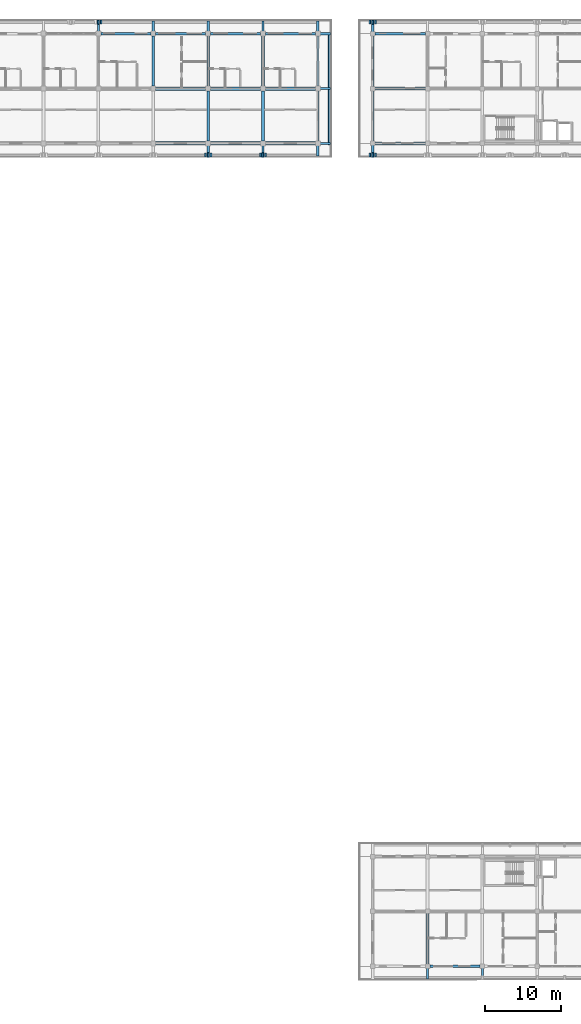
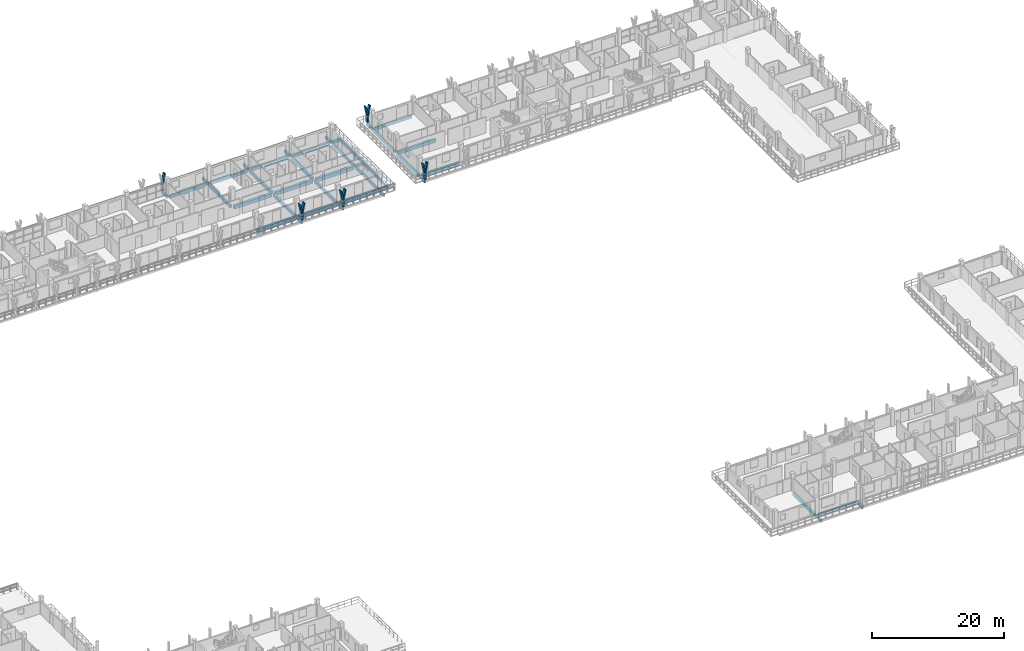
# One storey, part 23 of 78: 40 beams, 14 members.
"""IFC4 building model written with IfcOpenShell, lengths in metres."""

from ifc_helpers import new_model, si_unit, direction, frame, origin, origin_2d, place, context, subcontext, project, spatial, rectangle, extrude, material, material_profile, profile_set, type_object, element, save


model = new_model("IFC4")

# Units and contexts
model_context = context("Model", 3, precision=1e-05, world=origin(), true_north=direction((0.0, 1.0)))
body_context = subcontext(model_context, "Body", "Model", "MODEL_VIEW")
ifc_project = project(units=[si_unit("LENGTHUNIT", "METRE"), si_unit("AREAUNIT", "SQUARE_METRE"), si_unit("VOLUMEUNIT", "CUBIC_METRE"), si_unit("PLANEANGLEUNIT", "RADIAN"), si_unit("MASSUNIT", "GRAM", prefix="KILO")], contexts=[model_context])

# Site, building, storey
site_placement = place(None, origin())
site = spatial("IfcSite", under=ifc_project, at=site_placement, CompositionType="ELEMENT")
building_placement = place(site_placement, origin())
building = spatial("IfcBuilding", under=site, at=building_placement, Name="Suanplinth Sawtooth Commons", CompositionType="ELEMENT")
storey_placement = place(building_placement, frame((0.0, 0.0, 15.39990234375)))
storey = spatial("IfcBuildingStorey", under=building, at=storey_placement, Name="L04", CompositionType="ELEMENT", Elevation=15.39990234375)

# Beams
ifc_material_1 = material(Name="Precast concrete C40/50", Category="concrete")
ifc_material_profile_1 = material_profile(ifc_material_1, rectangle(XDim=0.449951171875, YDim=0.64990234375, at=origin_2d()), Name="PC-GDR 450x650")
ifc_profile_set_1 = profile_set([ifc_material_profile_1], Name="Precast concrete C40/50")
beam_type_1 = type_object("IfcBeamType", Name="B-04", PredefinedType="USERDEFINED", material=ifc_profile_set_1)
for number, where, z_axis, x_axis, name in (
    (1, (93.925048828125, 108.0, -0.544921875), (1.0, 0.0, 0.0), (0.0, 1.0, 0.0), "BMX-L04-A-13-15"),
    (2, (93.925048828125, 115.199951171875, -0.544921875), (1.0, 0.0, 0.0), (0.0, 1.0, 0.0), "BMX-L04-A-13-16"),
    (3, (101.125, 108.0, -0.544921875), (1.0, 0.0, 0.0), (0.0, 1.0, 0.0), "BMX-L04-A-14-15"),
    (4, (101.125, 115.199951171875, -0.544921875), (1.0, 0.0, 0.0), (0.0, 1.0, 0.0), "BMX-L04-A-14-16"),
    (5, (108.324951171875, 108.0, -0.544921875), (1.0, 0.0, 0.0), (0.0, 1.0, 0.0), "BMX-L04-A-15-15"),
    (6, (108.324951171875, 115.199951171875, -0.544921875), (1.0, 0.0, 0.0), (0.0, 1.0, 0.0), "BMX-L04-A-15-16"),
):
    element("IfcBeam", number, at=place(storey_placement, frame(where, z_axis=z_axis, x_axis=x_axis)), inside=storey, type_object=beam_type_1, Name=name, ObjectType="GIRDER", PredefinedType="USERDEFINED", context=body_context, shape_type="SweptSolid", body=[
        extrude(rectangle(XDim=0.449951171875, YDim=0.64990234375, at=origin_2d()), origin(), (0.0, 0.0, 1.0), 6.550048828125),
    ])
ifc_material_profile_2 = material_profile(ifc_material_1, rectangle(XDim=0.39990234375, YDim=0.60009765625, at=origin_2d()), Name="PC-GDR 400x600")
ifc_profile_set_2 = profile_set([ifc_material_profile_2], Name="Precast concrete C40/50")
beam_type_2 = type_object("IfcBeamType", Name="B-05", PredefinedType="USERDEFINED", material=ifc_profile_set_2)
for number, where, z_axis, x_axis, name in (
    (7, (122.699951171875, 108.0, -0.52001953125), (1.0, 0.0, 0.0), (0.0, 1.0, 0.0), "BMX-L04-B-17-15"),
    (8, (122.699951171875, 115.199951171875, -0.52001953125), (1.0, 0.0, 0.0), (0.0, 1.0, 0.0), "BMX-L04-B-17-16"),
):
    element("IfcBeam", number, at=place(storey_placement, frame(where, z_axis=z_axis, x_axis=x_axis)), inside=storey, type_object=beam_type_2, Name=name, ObjectType="GIRDER", PredefinedType="USERDEFINED", context=body_context, shape_type="SweptSolid", body=[
        extrude(rectangle(XDim=0.39990234375, YDim=0.60009765625, at=origin_2d()), origin(), (0.0, 0.0, 1.0), 6.60009765625),
    ])
ifc_material_profile_3 = material_profile(ifc_material_1, rectangle(XDim=0.35009765625, YDim=0.550048828125, at=origin_2d()), Name="PC-BM 350x550")
ifc_profile_set_3 = profile_set([ifc_material_profile_3], Name="Precast concrete C40/50")
beam_type_3 = type_object("IfcBeamType", Name="B-06", PredefinedType="BEAM", material=ifc_profile_set_3)
for number, where, z_axis, x_axis, name in (
    (9, (93.60009765625, 115.52490234375, -0.494873046875), (0.0, 1.0, 0.0), (-1.0, 0.0, 0.0), "BMY-L04-A-13-16"),
    (10, (100.800048828125, 108.324951171875, -0.494873046875), (0.0, 1.0, 0.0), (-1.0, 0.0, 0.0), "BMY-L04-A-14-15"),
    (11, (100.800048828125, 115.52490234375, -0.494873046875), (0.0, 1.0, 0.0), (-1.0, 0.0, 0.0), "BMY-L04-A-14-16"),
    (12, (108.0, 108.324951171875, -0.494873046875), (0.0, 1.0, 0.0), (-1.0, 0.0, 0.0), "BMY-L04-A-15-15"),
    (13, (108.0, 115.52490234375, -0.494873046875), (0.0, 1.0, 0.0), (-1.0, 0.0, 0.0), "BMY-L04-A-15-16"),
):
    element("IfcBeam", number, at=place(storey_placement, frame(where, z_axis=z_axis, x_axis=x_axis)), inside=storey, type_object=beam_type_3, Name=name, PredefinedType="BEAM", context=body_context, shape_type="SweptSolid", body=[
        extrude(rectangle(XDim=0.35009765625, YDim=0.550048828125, at=origin_2d()), origin(), (0.0, 0.0, 1.0), 6.550048828125),
    ])
beam_1_placement = place(storey_placement, frame((122.39990234375, 108.300048828125, -0.494873046875), z_axis=(0.0, 1.0, 0.0), x_axis=(-1.0, 0.0, 0.0)))
element("IfcBeam", 14, at=beam_1_placement, inside=storey, type_object=beam_type_3, Name="BMY-L04-B-17-15", PredefinedType="BEAM", context=body_context, shape_type="SweptSolid", body=[
    extrude(rectangle(XDim=0.35009765625, YDim=0.550048828125, at=origin_2d()), origin(), (0.0, 0.0, 1.0), 6.599853515625),
])
beam_2_placement = place(storey_placement, frame((122.39990234375, 115.5, -0.494873046875), z_axis=(0.0, 1.0, 0.0), x_axis=(-1.0, 0.0, 0.0)))
element("IfcBeam", 15, at=beam_2_placement, inside=storey, type_object=beam_type_3, Name="BMY-L04-B-17-16", PredefinedType="BEAM", context=body_context, shape_type="SweptSolid", body=[
    extrude(rectangle(XDim=0.35009765625, YDim=0.550048828125, at=origin_2d()), origin(), (0.0, 0.0, 1.0), 6.60009765625),
])
beam_3_placement = place(storey_placement, frame((129.60009765625, 0.300048828125, -0.494873046875), z_axis=(0.0, 1.0, 0.0), x_axis=(-1.0, 0.0, 0.0)))
element("IfcBeam", 16, at=beam_3_placement, inside=storey, type_object=beam_type_3, Name="BMY-L04-C-18-0", PredefinedType="BEAM", context=body_context, shape_type="SweptSolid", body=[
    extrude(rectangle(XDim=0.35009765625, YDim=0.550048828125, at=origin_2d()), origin(), (0.0, 0.0, 1.0), 6.599853515625),
])
ifc_material_profile_4 = material_profile(ifc_material_1, rectangle(XDim=0.300048828125, YDim=0.5, at=origin_2d()), Name="PC-BM 300x500")
ifc_profile_set_4 = profile_set([ifc_material_profile_4], Name="Precast concrete C40/50")
beam_type_4 = type_object("IfcBeamType", Name="B-07", PredefinedType="BEAM", material=ifc_profile_set_4)
for number, where, z_axis, x_axis, name in (
    (17, (86.39990234375, 122.39990234375, -0.429931640625), (0.0, 1.0, 0.0), (-1.0, 0.0, 0.0), "Balcony Outrigger L04-A-N-12"),
    (18, (93.60009765625, 122.39990234375, -0.429931640625), (0.0, 1.0, 0.0), (-1.0, 0.0, 0.0), "Balcony Outrigger L04-A-N-13"),
    (19, (100.800048828125, 122.39990234375, -0.429931640625), (0.0, 1.0, 0.0), (-1.0, 0.0, 0.0), "Balcony Outrigger L04-A-N-14"),
    (20, (108.0, 122.39990234375, -0.429931640625), (0.0, 1.0, 0.0), (-1.0, 0.0, 0.0), "Balcony Outrigger L04-A-N-15"),
    (21, (115.199951171875, 122.39990234375, -0.429931640625), (0.0, 1.0, 0.0), (-1.0, 0.0, 0.0), "Balcony Outrigger L04-A-N-16"),
):
    element("IfcBeam", number, at=place(storey_placement, frame(where, z_axis=z_axis, x_axis=x_axis)), inside=storey, type_object=beam_type_4, Name=name, PredefinedType="BEAM", context=body_context, shape_type="SweptSolid", body=[
        extrude(rectangle(XDim=0.300048828125, YDim=0.5, at=origin_2d()), origin(), (0.0, 0.0, 1.0), 1.64013671875),
    ])
for number, where, z_axis, x_axis, name in (
    (22, (100.800048828125, 108.0, -0.429931640625), (0.0, -1.0, 0.0), (1.0, 0.0, 0.0), "Balcony Outrigger L04-A-S-14"),
    (23, (108.0, 108.0, -0.429931640625), (0.0, -1.0, 0.0), (1.0, 0.0, 0.0), "Balcony Outrigger L04-A-S-15"),
    (24, (115.199951171875, 108.0, -0.429931640625), (0.0, -1.0, 0.0), (1.0, 0.0, 0.0), "Balcony Outrigger L04-A-S-16"),
):
    element("IfcBeam", number, at=place(storey_placement, frame(where, z_axis=z_axis, x_axis=x_axis)), inside=storey, type_object=beam_type_4, Name=name, PredefinedType="BEAM", context=body_context, shape_type="SweptSolid", body=[
        extrude(rectangle(XDim=0.300048828125, YDim=0.5, at=origin_2d()), origin(), (0.0, 0.0, 1.0), 1.639892578125),
    ])
for number, where, z_axis, x_axis, name in (
    (25, (115.199951171875, 108.0, -0.429931640625), (1.0, 0.0, 0.0), (0.0, 1.0, 0.0), "Balcony Outrigger L04-A-E-15"),
    (26, (115.199951171875, 115.199951171875, -0.429931640625), (1.0, 0.0, 0.0), (0.0, 1.0, 0.0), "Balcony Outrigger L04-A-E-16"),
    (27, (115.199951171875, 122.39990234375, -0.429931640625), (1.0, 0.0, 0.0), (0.0, 1.0, 0.0), "Balcony Outrigger L04-A-E-17"),
    (28, (122.39990234375, 122.39990234375, -0.429931640625), (0.0, 1.0, 0.0), (-1.0, 0.0, 0.0), "Balcony Outrigger L04-B-N-17"),
):
    element("IfcBeam", number, at=place(storey_placement, frame(where, z_axis=z_axis, x_axis=x_axis)), inside=storey, type_object=beam_type_4, Name=name, PredefinedType="BEAM", context=body_context, shape_type="SweptSolid", body=[
        extrude(rectangle(XDim=0.300048828125, YDim=0.5, at=origin_2d()), origin(), (0.0, 0.0, 1.0), 1.64013671875),
    ])
for number, where, z_axis, x_axis, name in (
    (29, (122.39990234375, 108.0, -0.4248046875), (0.0, -1.0, 0.0), (1.0, 0.0, 0.0), "Balcony Outrigger L04-B-SC-17"),
    (30, (129.60009765625, 0.0, -0.429931640625), (0.0, -1.0, 0.0), (1.0, 0.0, 0.0), "Balcony Outrigger L04-C-S-18"),
    (31, (136.800048828125, 0.0, -0.429931640625), (0.0, -1.0, 0.0), (1.0, 0.0, 0.0), "Balcony Outrigger L04-C-S-19"),
):
    element("IfcBeam", number, at=place(storey_placement, frame(where, z_axis=z_axis, x_axis=x_axis)), inside=storey, type_object=beam_type_4, Name=name, PredefinedType="BEAM", context=body_context, shape_type="SweptSolid", body=[
        extrude(rectangle(XDim=0.300048828125, YDim=0.5, at=origin_2d()), origin(), (0.0, 0.0, 1.0), 1.639892578125),
    ])
ifc_material_profile_5 = material_profile(ifc_material_1, rectangle(XDim=0.280029296875, YDim=0.52001953125, at=origin_2d()), Name="PC-SP 280x520")
ifc_profile_set_5 = profile_set([ifc_material_profile_5], Name="Precast concrete C40/50")
beam_type_5 = type_object("IfcBeamType", Name="B-08", PredefinedType="SPANDREL", material=ifc_profile_set_5)
beam_4_placement = place(storey_placement, frame((86.72509765625, 122.39990234375, -0.47998046875), z_axis=(1.0, 0.0, 0.0), x_axis=(0.0, 1.0, 0.0)))
element("IfcBeam", 32, at=beam_4_placement, inside=storey, type_object=beam_type_5, Name="BMX-L04-A-12-17", PredefinedType="SPANDREL", context=body_context, shape_type="SweptSolid", body=[
    extrude(rectangle(XDim=0.280029296875, YDim=0.52001953125, at=origin_2d()), origin(), (0.0, 0.0, 1.0), 6.5498046875),
])
for number, where, z_axis, x_axis, name in (
    (33, (93.925048828125, 122.39990234375, -0.47998046875), (1.0, 0.0, 0.0), (0.0, 1.0, 0.0), "BMX-L04-A-13-17"),
    (34, (101.125, 122.39990234375, -0.47998046875), (1.0, 0.0, 0.0), (0.0, 1.0, 0.0), "BMX-L04-A-14-17"),
    (35, (108.324951171875, 122.39990234375, -0.47998046875), (1.0, 0.0, 0.0), (0.0, 1.0, 0.0), "BMX-L04-A-15-17"),
    (36, (115.199951171875, 108.324951171875, -0.47998046875), (0.0, 1.0, 0.0), (-1.0, 0.0, 0.0), "BMY-L04-A-16-15"),
    (37, (115.199951171875, 115.52490234375, -0.47998046875), (0.0, 1.0, 0.0), (-1.0, 0.0, 0.0), "BMY-L04-A-16-16"),
):
    element("IfcBeam", number, at=place(storey_placement, frame(where, z_axis=z_axis, x_axis=x_axis)), inside=storey, type_object=beam_type_5, Name=name, PredefinedType="SPANDREL", context=body_context, shape_type="SweptSolid", body=[
        extrude(rectangle(XDim=0.280029296875, YDim=0.52001953125, at=origin_2d()), origin(), (0.0, 0.0, 1.0), 6.550048828125),
    ])
for number, where, z_axis, x_axis, name in (
    (38, (122.699951171875, 122.39990234375, -0.47998046875), (1.0, 0.0, 0.0), (0.0, 1.0, 0.0), "BMX-L04-B-17-17"),
    (39, (129.89990234375, 0.0, -0.47998046875), (1.0, 0.0, 0.0), (0.0, 1.0, 0.0), "BMX-L04-C-18-0"),
):
    element("IfcBeam", number, at=place(storey_placement, frame(where, z_axis=z_axis, x_axis=x_axis)), inside=storey, type_object=beam_type_5, Name=name, PredefinedType="SPANDREL", context=body_context, shape_type="SweptSolid", body=[
        extrude(rectangle(XDim=0.280029296875, YDim=0.52001953125, at=origin_2d()), origin(), (0.0, 0.0, 1.0), 6.60009765625),
    ])
ifc_material_profile_6 = material_profile(ifc_material_1, rectangle(XDim=0.25, YDim=0.449951171875, at=origin_2d()), Name="PC-SP 250x450")
ifc_profile_set_6 = profile_set([ifc_material_profile_6], Name="Precast concrete C40/50")
beam_type_6 = type_object("IfcBeamType", Name="B-09", PredefinedType="SPANDREL", material=ifc_profile_set_6)
beam_5_placement = place(storey_placement, frame((116.719970703125, 107.85009765625, -0.40478515625), z_axis=(0.0, 1.0, 0.0), x_axis=(-1.0, 0.0, 0.0)))
element("IfcBeam", 40, at=beam_5_placement, inside=storey, type_object=beam_type_6, Name="Balcony Edge Fascia L04-A-E", PredefinedType="SPANDREL", context=body_context, shape_type="SweptSolid", body=[
    extrude(rectangle(XDim=0.25, YDim=0.449951171875, at=origin_2d()), origin(), (0.0, 0.0, 1.0), 14.699951171875),
])

# Members
ifc_material_2 = material(Name="Pigmented precast concrete C40/50", Category="concrete")
ifc_material_profile_7 = material_profile(ifc_material_2, rectangle(XDim=0.260009765625, YDim=0.550048828125, at=origin_2d()), Name="PC-FIN 260x550")
ifc_profile_set_7 = profile_set([ifc_material_profile_7], Name="Pigmented precast concrete C40/50")
member_type_1 = type_object("IfcMemberType", Name="M-09", PredefinedType="USERDEFINED", material=ifc_profile_set_7)
for number, where, z_axis, x_axis, name in (
    (41, (86.39990234375, 123.919921875, 0.0), (0.0, 0.0, 1.0), (1.0, 0.0, 0.0), "Y-Blade Stem L04-A-N-08"),
    (42, (100.800048828125, 106.47998046875, 0.0), (0.0, 0.0, 1.0), (1.0, 0.0, 0.0), "Y-Blade Stem L04-A-S-26"),
    (43, (108.0, 106.47998046875, 0.0), (0.0, 0.0, 1.0), (1.0, 0.0, 0.0), "Y-Blade Stem L04-A-S-27"),
    (44, (122.39990234375, 123.919921875, 0.0), (0.0, 0.0, 1.0), (1.0, 0.0, 0.0), "Y-Blade Stem L04-B-N-01"),
    (45, (122.39990234375, 106.47998046875, 0.0), (0.0, 0.0, 1.0), (1.0, 0.0, 0.0), "Y-Blade Stem L04-B-SC-16"),
):
    element("IfcMember", number, at=place(storey_placement, frame(where, z_axis=z_axis, x_axis=x_axis)), inside=storey, type_object=member_type_1, Name=name, ObjectType="SHADING FIN", PredefinedType="USERDEFINED", context=body_context, shape_type="SweptSolid", body=[
        extrude(rectangle(XDim=0.260009765625, YDim=0.550048828125, at=origin_2d()), origin(), (0.0, 0.0, 1.0), 1.170166015625),
    ])
ifc_material_profile_8 = material_profile(ifc_material_2, rectangle(XDim=0.219970703125, YDim=0.550048828125, at=origin_2d()), Name="PC-FIN 220x550")
ifc_profile_set_8 = profile_set([ifc_material_profile_8], Name="Pigmented precast concrete C40/50")
member_type_2 = type_object("IfcMemberType", Name="M-10", PredefinedType="USERDEFINED", material=ifc_profile_set_8)
for number, where, z_axis, x_axis, name in (
    (46, (86.39990234375, 123.919921875, 1.130126953125), (0.196431120402, 0.0, 0.980517626021), (-0.980517626021, 0.0, 0.196431120402), "Y-Blade Arm R L04-A-N-08"),
    (47, (100.800048828125, 106.47998046875, 1.130126953125), (-0.196431120402, 0.0, 0.980517626021), (0.980517626021, 0.0, 0.196431120402), "Y-Blade Arm L L04-A-S-26"),
):
    element("IfcMember", number, at=place(storey_placement, frame(where, z_axis=z_axis, x_axis=x_axis)), inside=storey, type_object=member_type_2, Name=name, ObjectType="SHADING FIN", PredefinedType="USERDEFINED", context=body_context, shape_type="SweptSolid", body=[
        extrude(rectangle(XDim=0.219970703125, YDim=0.550048828125, at=origin_2d()), origin(), (0.0, 0.0, 1.0), 1.937744140625),
    ])
member_1_placement = place(storey_placement, frame((100.800048828125, 106.47998046875, 1.130126953125), z_axis=(0.196309979414, 0.0, 0.980541886909), x_axis=(-0.980541886909, 0.0, 0.196309979414)))
element("IfcMember", 48, at=member_1_placement, inside=storey, type_object=member_type_2, Name="Y-Blade Arm R L04-A-S-26", ObjectType="SHADING FIN", PredefinedType="USERDEFINED", context=body_context, shape_type="SweptSolid", body=[
    extrude(rectangle(XDim=0.219970703125, YDim=0.550048828125, at=origin_2d()), origin(), (0.0, 0.0, 1.0), 1.9375),
])
for number, where, z_axis, x_axis, name in (
    (49, (108.0, 106.47998046875, 1.130126953125), (-0.196431120402, 0.0, 0.980517626021), (0.980517626021, 0.0, 0.196431120402), "Y-Blade Arm L L04-A-S-27"),
    (50, (108.0, 106.47998046875, 1.130126953125), (0.196431120402, 0.0, 0.980517626021), (-0.980517626021, 0.0, 0.196431120402), "Y-Blade Arm R L04-A-S-27"),
):
    element("IfcMember", number, at=place(storey_placement, frame(where, z_axis=z_axis, x_axis=x_axis)), inside=storey, type_object=member_type_2, Name=name, ObjectType="SHADING FIN", PredefinedType="USERDEFINED", context=body_context, shape_type="SweptSolid", body=[
        extrude(rectangle(XDim=0.219970703125, YDim=0.550048828125, at=origin_2d()), origin(), (0.0, 0.0, 1.0), 1.937744140625),
    ])
member_2_placement = place(storey_placement, frame((122.39990234375, 123.919921875, 1.130126953125), z_axis=(-0.196309979414, 0.0, 0.980541886909), x_axis=(0.980541886909, 0.0, 0.196309979414)))
element("IfcMember", 51, at=member_2_placement, inside=storey, type_object=member_type_2, Name="Y-Blade Arm L L04-B-N-01", ObjectType="SHADING FIN", PredefinedType="USERDEFINED", context=body_context, shape_type="SweptSolid", body=[
    extrude(rectangle(XDim=0.219970703125, YDim=0.550048828125, at=origin_2d()), origin(), (0.0, 0.0, 1.0), 1.9375),
])
member_3_placement = place(storey_placement, frame((122.39990234375, 123.919921875, 1.130126953125), z_axis=(0.196431120402, 0.0, 0.980517626021), x_axis=(-0.980517626021, 0.0, 0.196431120402)))
element("IfcMember", 52, at=member_3_placement, inside=storey, type_object=member_type_2, Name="Y-Blade Arm R L04-B-N-01", ObjectType="SHADING FIN", PredefinedType="USERDEFINED", context=body_context, shape_type="SweptSolid", body=[
    extrude(rectangle(XDim=0.219970703125, YDim=0.550048828125, at=origin_2d()), origin(), (0.0, 0.0, 1.0), 1.937744140625),
])
member_4_placement = place(storey_placement, frame((122.39990234375, 106.47998046875, 1.130126953125), z_axis=(-0.196309979414, 0.0, 0.980541886909), x_axis=(0.980541886909, 0.0, 0.196309979414)))
element("IfcMember", 53, at=member_4_placement, inside=storey, type_object=member_type_2, Name="Y-Blade Arm L L04-B-SC-16", ObjectType="SHADING FIN", PredefinedType="USERDEFINED", context=body_context, shape_type="SweptSolid", body=[
    extrude(rectangle(XDim=0.219970703125, YDim=0.550048828125, at=origin_2d()), origin(), (0.0, 0.0, 1.0), 1.9375),
])
member_5_placement = place(storey_placement, frame((122.39990234375, 106.47998046875, 1.130126953125), z_axis=(0.196431120402, 0.0, 0.980517626021), x_axis=(-0.980517626021, 0.0, 0.196431120402)))
element("IfcMember", 54, at=member_5_placement, inside=storey, type_object=member_type_2, Name="Y-Blade Arm R L04-B-SC-16", ObjectType="SHADING FIN", PredefinedType="USERDEFINED", context=body_context, shape_type="SweptSolid", body=[
    extrude(rectangle(XDim=0.219970703125, YDim=0.550048828125, at=origin_2d()), origin(), (0.0, 0.0, 1.0), 1.937744140625),
])

save(model, "model.ifc")
